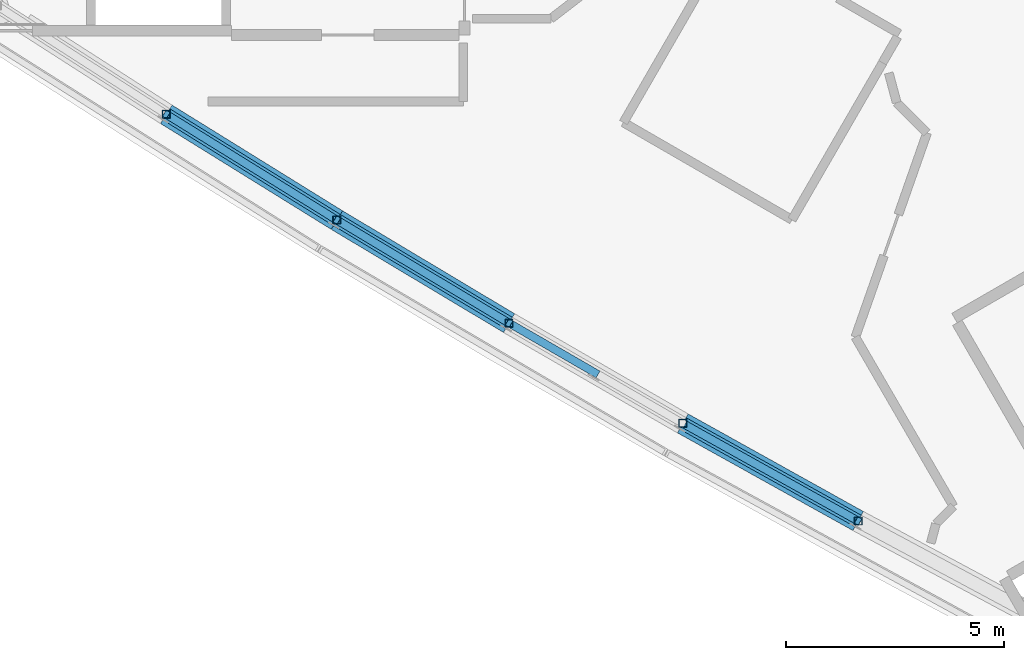
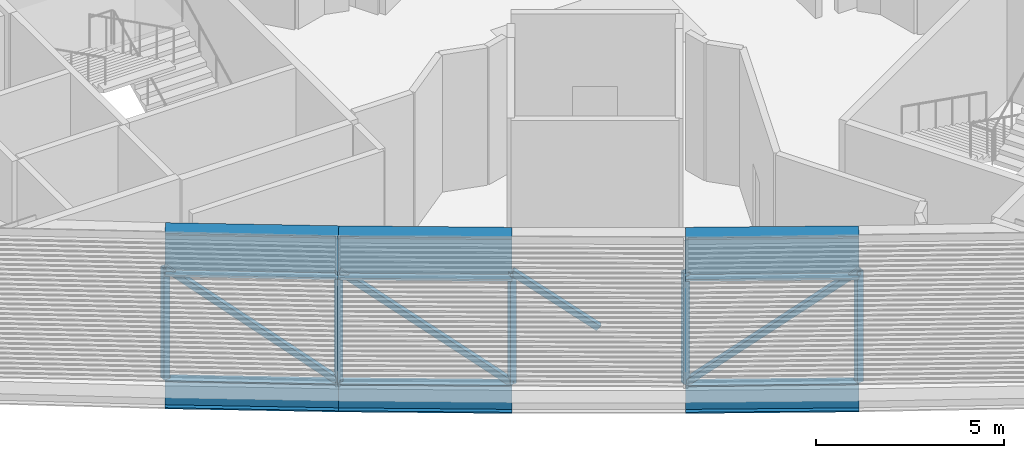
# One storey, part 2 of 21: 9 members, 6 beams.
"""IFC4 building model written with IfcOpenShell, lengths in metres."""

from ifc_helpers import new_model, si_unit, direction, frame, origin, origin_2d, place, context, subcontext, project, spatial, hollow_rectangle, i_section, extrude, material, material_profile, profile_set, type_object, element, save


model = new_model("IFC4")

# Units and contexts
model_context = context("Model", 3, precision=1e-05, world=origin(), true_north=direction((0.0, 1.0)))
body_context = subcontext(model_context, "Body", "Model", "MODEL_VIEW")
ifc_project = project(units=[si_unit("LENGTHUNIT", "METRE"), si_unit("AREAUNIT", "SQUARE_METRE"), si_unit("VOLUMEUNIT", "CUBIC_METRE"), si_unit("PLANEANGLEUNIT", "RADIAN"), si_unit("MASSUNIT", "GRAM", prefix="KILO")], contexts=[model_context])

# Site, building, storey
site_placement = place(None, origin())
site = spatial("IfcSite", under=ifc_project, at=site_placement, CompositionType="ELEMENT")
building_placement = place(site_placement, origin())
building = spatial("IfcBuilding", under=site, at=building_placement, Name="Tamra Quay Hotel Tower", CompositionType="ELEMENT")
storey_placement = place(building_placement, frame((0.0, 0.0, 301.800048828125)))
storey = spatial("IfcBuildingStorey", under=building, at=storey_placement, Name="L76", CompositionType="ELEMENT", Elevation=301.800048828125)

# Members
ifc_material = material(Name="Structural steel IS 2062 E350", Category="steel")
ifc_material_profile_1 = material_profile(ifc_material, hollow_rectangle(XDim=0.179931640625, YDim=0.179931640625, WallThickness=0.008056640625, at=origin_2d()), Name="SHS 180x180x8")
ifc_profile_set_1 = profile_set([ifc_material_profile_1], Name="Structural steel IS 2062 E350")
member_type = type_object("IfcMemberType", Name="BELT BRACE SHS 180x180x8 Z6", PredefinedType="BRACE", material=ifc_profile_set_1)
member_1_placement = place(storey_placement, frame((-17.681396484375, -7.594970703125, -0.400146484375), z_axis=(0.0, 0.0, 1.0), x_axis=(1.0, 0.0, 0.0)))
element("IfcMember", 1, at=member_1_placement, inside=storey, type_object=member_type, Name="BR-L76-034", PredefinedType="BRACE", context=body_context, shape_type="SweptSolid", body=[
    extrude(hollow_rectangle(XDim=0.179931640625, YDim=0.179931640625, WallThickness=0.008056640625, at=origin_2d()), origin(), (0.0, 0.0, 1.0), 3.60009765625),
])
member_2_placement = place(storey_placement, frame((-13.765380859375, -10.022216796875, -0.400146484375), z_axis=(-0.669747878882, 0.415126771312, 0.615717096135), x_axis=(-0.526832489243, -0.849969133721, 0.0)))
element("IfcMember", 2, at=member_2_placement, inside=storey, type_object=member_type, Name="BR-L76-035", PredefinedType="BRACE", context=body_context, shape_type="SweptSolid", body=[
    extrude(hollow_rectangle(XDim=0.179931640625, YDim=0.179931640625, WallThickness=0.008056640625, at=origin_2d()), origin(), (0.0, 0.0, 1.0), 5.846923828125),
])
member_3_placement = place(storey_placement, frame((-13.765380859375, -10.022216796875, -0.400146484375), z_axis=(0.0, 0.0, 1.0), x_axis=(1.0, 0.0, 0.0)))
element("IfcMember", 3, at=member_3_placement, inside=storey, type_object=member_type, Name="BR-L76-036", PredefinedType="BRACE", context=body_context, shape_type="SweptSolid", body=[
    extrude(hollow_rectangle(XDim=0.179931640625, YDim=0.179931640625, WallThickness=0.008056640625, at=origin_2d()), origin(), (0.0, 0.0, 1.0), 3.60009765625),
])
member_4_placement = place(storey_placement, frame((-9.81201171875, -12.3876953125, -0.400146484375), z_axis=(-0.676156998536, 0.404575134862, 0.615735879726), x_axis=(-0.513451096176, -0.858118856474, 0.0)))
element("IfcMember", 4, at=member_4_placement, inside=storey, type_object=member_type, Name="BR-L76-037", PredefinedType="BRACE", context=body_context, shape_type="SweptSolid", body=[
    extrude(hollow_rectangle(XDim=0.179931640625, YDim=0.179931640625, WallThickness=0.008056640625, at=origin_2d()), origin(), (0.0, 0.0, 1.0), 5.846923828125),
])
member_5_placement = place(storey_placement, frame((-9.81201171875, -12.3876953125, -0.400146484375), z_axis=(0.0, 0.0, 1.0), x_axis=(1.0, 0.0, 0.0)))
element("IfcMember", 5, at=member_5_placement, inside=storey, type_object=member_type, Name="BR-L76-038", PredefinedType="BRACE", context=body_context, shape_type="SweptSolid", body=[
    extrude(hollow_rectangle(XDim=0.179931640625, YDim=0.179931640625, WallThickness=0.008056640625, at=origin_2d()), origin(), (0.0, 0.0, 1.0), 3.60009765625),
])
member_6_placement = place(storey_placement, frame((-7.817138671875, -13.53955078125, 1.39990234375), z_axis=(-0.682373254296, 0.394007711879, 0.615731000358), x_axis=(-0.500037434811, -0.866003789707, 0.0)))
element("IfcMember", 6, at=member_6_placement, inside=storey, type_object=member_type, Name="BR-L76-040B", PredefinedType="BRACE", context=body_context, shape_type="SweptSolid", body=[
    extrude(hollow_rectangle(XDim=0.179931640625, YDim=0.179931640625, WallThickness=0.008056640625, at=origin_2d()), origin(), (0.0, 0.0, 1.0), 2.92333984375),
])
member_7_placement = place(storey_placement, frame((-5.822265625, -14.69140625, -0.400146484375), z_axis=(0.0, 0.0, 1.0), x_axis=(1.0, 0.0, 0.0)))
element("IfcMember", 7, at=member_7_placement, inside=storey, type_object=member_type, Name="BR-L76-041", PredefinedType="BRACE", context=body_context, shape_type="SweptSolid", body=[
    extrude(hollow_rectangle(XDim=0.179931640625, YDim=0.179931640625, WallThickness=0.008056640625, at=origin_2d()), origin(), (0.0, 0.0, 1.0), 3.60009765625),
])
member_8_placement = place(storey_placement, frame((-5.822265625, -14.69140625, -0.400146484375), z_axis=(0.68847514185, -0.383237800333, 0.615735955951), x_axis=(0.486371668935, 0.873752024122, 0.0)))
element("IfcMember", 8, at=member_8_placement, inside=storey, type_object=member_type, Name="BR-L76-042", PredefinedType="BRACE", context=body_context, shape_type="SweptSolid", body=[
    extrude(hollow_rectangle(XDim=0.179931640625, YDim=0.179931640625, WallThickness=0.008056640625, at=origin_2d()), origin(), (0.0, 0.0, 1.0), 5.846923828125),
])
member_9_placement = place(storey_placement, frame((-1.796875, -16.93212890625, -0.400146484375), z_axis=(0.0, 0.0, 1.0), x_axis=(1.0, 0.0, 0.0)))
element("IfcMember", 9, at=member_9_placement, inside=storey, type_object=member_type, Name="BR-L76-043", PredefinedType="BRACE", context=body_context, shape_type="SweptSolid", body=[
    extrude(hollow_rectangle(XDim=0.179931640625, YDim=0.179931640625, WallThickness=0.008056640625, at=origin_2d()), origin(), (0.0, 0.0, 1.0), 3.60009765625),
])

# Beams
ifc_material_profile_2 = material_profile(ifc_material, i_section(OverallWidth=0.302001953125, OverallDepth=0.909912109375, WebThickness=0.027099609375, FlangeThickness=0.0400390625, at=origin_2d()), Name="WPB 900x300x333")
ifc_profile_set_2 = profile_set([ifc_material_profile_2], Name="Structural steel IS 2062 E350")
beam_type_1 = type_object("IfcBeamType", Name="BELT CHORD WPB 900x300x333 Z6", PredefinedType="BEAM", material=ifc_profile_set_2)
beam_1_placement = place(storey_placement, frame((-17.681396484375, -7.594970703125, -0.85498046875), z_axis=(0.849969133721, -0.526832489243, 0.0), x_axis=(0.526832489243, 0.849969133721, 0.0)))
element("IfcBeam", 10, at=beam_1_placement, inside=storey, type_object=beam_type_1, Name="BM-CHB-L76-019", PredefinedType="BEAM", context=body_context, shape_type="SweptSolid", body=[
    extrude(i_section(OverallWidth=0.302001953125, OverallDepth=0.909912109375, WebThickness=0.027099609375, FlangeThickness=0.0400390625, at=origin_2d()), origin(), (0.0, 0.0, 1.0), 4.607177734375),
])
for number, where, z_axis, x_axis, name in (
    (11, (-13.765380859375, -10.022216796875, -0.85498046875), (0.858118856474, -0.513451096176, 0.0), (0.513451096176, 0.858118856474, 0.0), "BM-CHB-L76-020"),
    (12, (-5.822265625, -14.69140625, -0.85498046875), (0.873752024122, -0.486371668935, 0.0), (0.486371668935, 0.873752024122, 0.0), "BM-CHB-L76-022"),
):
    element("IfcBeam", number, at=place(storey_placement, frame(where, z_axis=z_axis, x_axis=x_axis)), inside=storey, type_object=beam_type_1, Name=name, PredefinedType="BEAM", context=body_context, shape_type="SweptSolid", body=[
        extrude(i_section(OverallWidth=0.302001953125, OverallDepth=0.909912109375, WebThickness=0.027099609375, FlangeThickness=0.0400390625, at=origin_2d()), origin(), (0.0, 0.0, 1.0), 4.60693359375),
    ])
ifc_material_profile_3 = material_profile(ifc_material, i_section(OverallWidth=0.5, OverallDepth=1.39990234375, WebThickness=0.02490234375, FlangeThickness=0.050048828125, at=origin_2d()), Name="WPG 1400x500x25x50")
ifc_profile_set_3 = profile_set([ifc_material_profile_3], Name="Structural steel IS 2062 E350")
beam_type_2 = type_object("IfcBeamType", Name="BELT TOP CHORD WPG 1400x500x25x50 Z6", PredefinedType="USERDEFINED", material=ifc_profile_set_3)
beam_2_placement = place(storey_placement, frame((-17.681396484375, -7.594970703125, 3.75), z_axis=(0.849969133721, -0.526832489243, 0.0), x_axis=(0.526832489243, 0.849969133721, 0.0)))
element("IfcBeam", 13, at=beam_2_placement, inside=storey, type_object=beam_type_2, Name="BM-CHT-L76-019", ObjectType="TRANSFER GIRDER", PredefinedType="USERDEFINED", context=body_context, shape_type="SweptSolid", body=[
    extrude(i_section(OverallWidth=0.5, OverallDepth=1.39990234375, WebThickness=0.02490234375, FlangeThickness=0.050048828125, at=origin_2d()), origin(), (0.0, 0.0, 1.0), 4.607177734375),
])
for number, where, z_axis, x_axis, name in (
    (14, (-13.765380859375, -10.022216796875, 3.75), (0.858118856474, -0.513451096176, 0.0), (0.513451096176, 0.858118856474, 0.0), "BM-CHT-L76-020"),
    (15, (-5.822265625, -14.69140625, 3.75), (0.873752024122, -0.486371668935, 0.0), (0.486371668935, 0.873752024122, 0.0), "BM-CHT-L76-022"),
):
    element("IfcBeam", number, at=place(storey_placement, frame(where, z_axis=z_axis, x_axis=x_axis)), inside=storey, type_object=beam_type_2, Name=name, ObjectType="TRANSFER GIRDER", PredefinedType="USERDEFINED", context=body_context, shape_type="SweptSolid", body=[
        extrude(i_section(OverallWidth=0.5, OverallDepth=1.39990234375, WebThickness=0.02490234375, FlangeThickness=0.050048828125, at=origin_2d()), origin(), (0.0, 0.0, 1.0), 4.60693359375),
    ])

save(model, "model.ifc")
